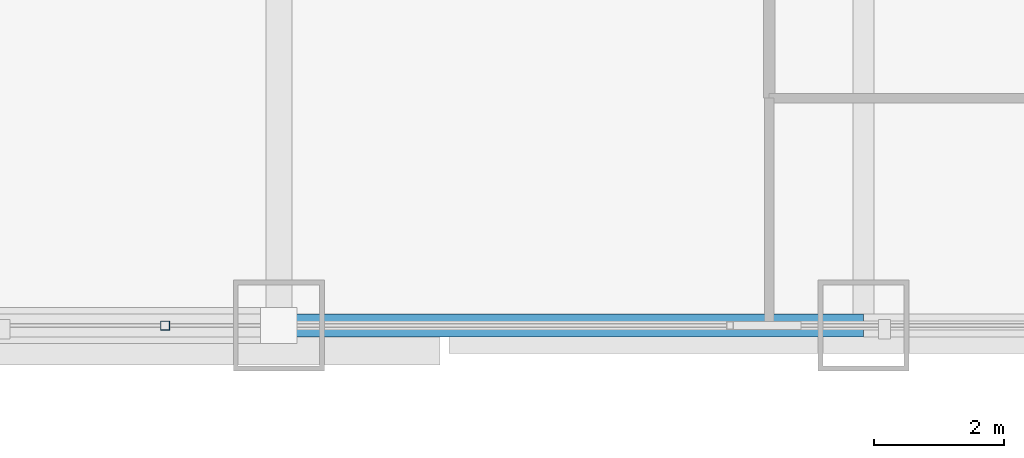
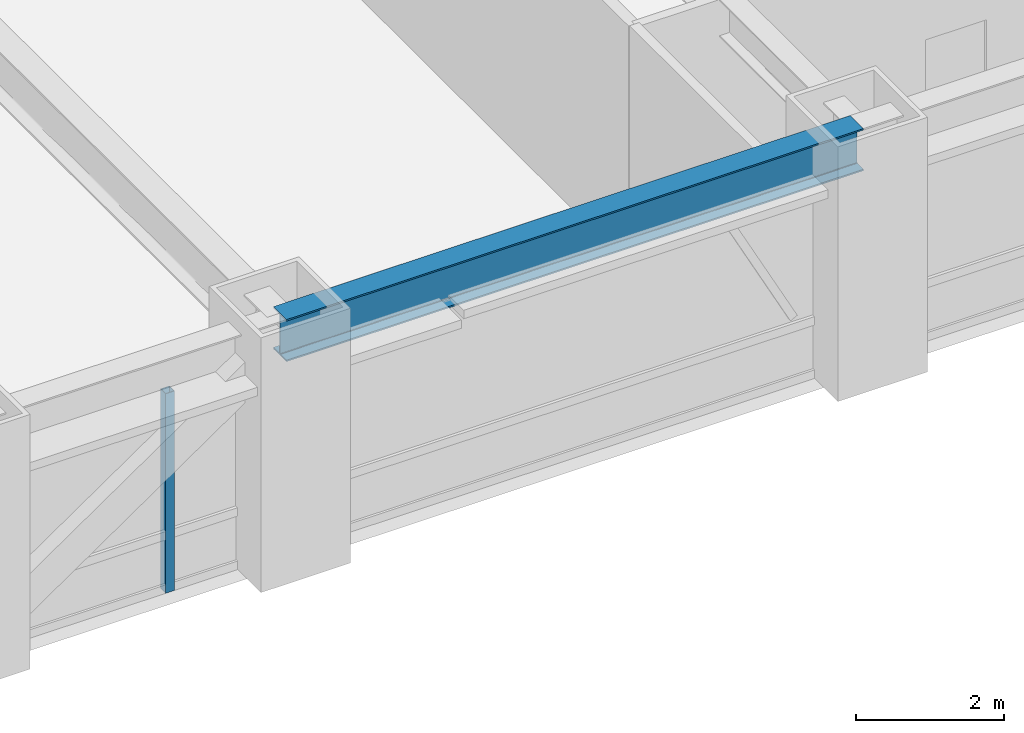
# One storey, part 8 of 31: 1 beam, 1 member, 1 element without a shape of its own.
"""IFC4 building model written with IfcOpenShell, lengths in metres."""

import ifcopenshell
import ifcopenshell.guid

model = None  # the IFC model being written
_history = None  # IfcOwnerHistory: only IFC2X3 demands one
_inside = {}  # id of a spatial element -> (the spatial element, [elements in it])
_under = {}  # id of a project, library or spatial element -> (it, [spatial elements below it])
_declared = {}  # id of a project -> (the project, [libraries it declares])
_typed = {}  # id of a type object -> (the type object, [elements of that type])
_made_of = {}  # id of a material, layer set ... -> (it, [elements and type objects made of it])


def new_model(schema):
    """Start an empty IFC model of exactly this schema.

    Asked for "IFC4X3", IfcOpenShell would pick the latest addendum, in which some entities
    have other attributes; the version numbers below select the first issue.
    IFC2X3 requires an IfcOwnerHistory on every rooted entity: one is made here for all.
    """
    global model, _history
    if schema == "IFC4X3":
        model = ifcopenshell.file(schema_version=(4, 3, 0, 0))
    else:
        model = ifcopenshell.file(schema=schema)
    _inside.clear()
    _under.clear()
    _declared.clear()
    _typed.clear()
    _made_of.clear()
    _history = None
    if model.schema == "IFC2X3":
        org = make("IfcOrganization", Name="unknown")
        user = make(
            "IfcPersonAndOrganization",
            ThePerson=make("IfcPerson", FamilyName="unknown"),
            TheOrganization=org,
        )
        app = make(
            "IfcApplication",
            ApplicationDeveloper=org,
            Version="unknown",
            ApplicationFullName="unknown",
            ApplicationIdentifier="unknown",
        )
        _history = make(
            "IfcOwnerHistory",
            OwningUser=user,
            OwningApplication=app,
            ChangeAction="ADDED",
            CreationDate=0,
        )
    return model


def make(cls, **values):
    """One entity of the class cls with the attributes given. An attribute that is None is left unset."""
    return model.create_entity(
        cls, **{name: value for name, value in values.items() if value is not None}
    )


def rooted(cls, **values):
    """An entity with a GlobalId (a new one), such as an element, a storey or a relation."""
    return make(cls, GlobalId=ifcopenshell.guid.new(), OwnerHistory=_history, **values)


def si_unit(unit_type, name, prefix=None):
    """IfcSIUnit, for example si_unit("LENGTHUNIT", "METRE", prefix="MILLI")."""
    return make("IfcSIUnit", UnitType=unit_type, Prefix=prefix, Name=name)


def assignment(units):
    """IfcUnitAssignment: the units of a project."""
    return None if units is None else make("IfcUnitAssignment", Units=units)


def point(xyz):
    """IfcCartesianPoint."""
    return None if xyz is None else make("IfcCartesianPoint", Coordinates=xyz)


def direction(xyz):
    """IfcDirection."""
    return None if xyz is None else make("IfcDirection", DirectionRatios=xyz)


def frame(location, z_axis=None, x_axis=None):
    """IfcAxis2Placement3D, a coordinate frame: its origin and axes. An axis left out is left unset."""
    return make(
        "IfcAxis2Placement3D",
        Location=point(location),
        Axis=direction(z_axis),
        RefDirection=direction(x_axis),
    )


def frame_2d(location, x_axis=None):
    """IfcAxis2Placement2D, a coordinate frame in the plane: its origin and x axis."""
    return make(
        "IfcAxis2Placement2D", Location=point(location), RefDirection=direction(x_axis)
    )


def origin():
    """The frame at (0, 0, 0) with its axes left unset."""
    return frame((0.0, 0.0, 0.0))


def origin_2d():
    """The frame at (0, 0) in the plane with its x axis left unset."""
    return frame_2d((0.0, 0.0))


def place(relative_to, where):
    """IfcLocalPlacement: puts the frame where relative to a parent placement (None: the world)."""
    return make(
        "IfcLocalPlacement", PlacementRelTo=relative_to, RelativePlacement=where
    )


def context(
    kind, dimensions, precision=None, world=None, true_north=None, identifier=None
):
    """IfcGeometricRepresentationContext, for example the 3D "Model" context."""
    return make(
        "IfcGeometricRepresentationContext",
        ContextIdentifier=identifier,
        ContextType=kind,
        CoordinateSpaceDimension=dimensions,
        Precision=precision,
        WorldCoordinateSystem=world,
        TrueNorth=true_north,
    )


def subcontext(parent, identifier, kind, view, scale=None):
    """IfcGeometricRepresentationSubContext, for example "Body" below "Model"."""
    return make(
        "IfcGeometricRepresentationSubContext",
        ContextIdentifier=identifier,
        ContextType=kind,
        ParentContext=parent,
        TargetScale=scale,
        TargetView=view,
    )


def project(units=None, contexts=None):
    """IfcProject with its units and contexts."""
    return rooted(
        "IfcProject",
        Name="project",
        RepresentationContexts=contexts,
        UnitsInContext=assignment(units),
    )


def spatial(cls, under=None, at=None, **own):
    """A site, building, storey or space (cls), placed at a placement, below another one or the project."""
    s = rooted(cls, ObjectPlacement=at, **own)
    if under is not None:
        _under.setdefault(under.id(), (under, []))[1].append(s)
    return s


def profile(cls, at=None, kind="AREA", **sizes):
    """A parametric profile (cls). Its sizes go by their IFC names, for example OverallWidth=200.0."""
    return make(cls, ProfileType=kind, Position=at, **sizes)


def hollow_rectangle(**sizes):
    """IfcRectangleHollowProfileDef."""
    return profile("IfcRectangleHollowProfileDef", **sizes)


def i_section(**sizes):
    """IfcIShapeProfileDef."""
    return profile("IfcIShapeProfileDef", **sizes)


def extrude(swept, where, along, depth):
    """IfcExtrudedAreaSolid: the profile swept, set in the frame where, extruded along a direction by depth."""
    return make(
        "IfcExtrudedAreaSolid",
        SweptArea=swept,
        Position=where,
        ExtrudedDirection=direction(along),
        Depth=depth,
    )


def shape(context_of_items, identifier, shape_type, items):
    """IfcShapeRepresentation: the items that make up one representation, for example the "Body"."""
    return make(
        "IfcShapeRepresentation",
        ContextOfItems=context_of_items,
        RepresentationIdentifier=identifier,
        RepresentationType=shape_type,
        Items=items,
    )


def source(mapping_origin, context_of_items, identifier, shape_type, items):
    """IfcRepresentationMap: a shape defined once, which mapped items show again and again."""
    return make(
        "IfcRepresentationMap",
        MappingOrigin=mapping_origin,
        MappedRepresentation=shape(context_of_items, identifier, shape_type, items),
    )


def transform(
    local_origin,
    x_axis=None,
    y_axis=None,
    z_axis=None,
    scale=None,
    scale2=None,
    scale3=None,
    uniform=True,
):
    """IfcCartesianTransformationOperator3D, or its non-uniform kind. x_axis, y_axis, z_axis: its Axis1, 2, 3."""
    if uniform:
        return make(
            "IfcCartesianTransformationOperator3D",
            Axis1=direction(x_axis),
            Axis2=direction(y_axis),
            LocalOrigin=point(local_origin),
            Scale=scale,
            Axis3=direction(z_axis),
        )
    return make(
        "IfcCartesianTransformationOperator3DnonUniform",
        Axis1=direction(x_axis),
        Axis2=direction(y_axis),
        LocalOrigin=point(local_origin),
        Scale=scale,
        Axis3=direction(z_axis),
        Scale2=scale2,
        Scale3=scale3,
    )


def mapped(mapping_source, mapping_target):
    """IfcMappedItem: shows the shape of a source again, moved by a transform."""
    return make(
        "IfcMappedItem", MappingSource=mapping_source, MappingTarget=mapping_target
    )


def material(Name=None, Category=None):
    """IfcMaterial."""
    return make("IfcMaterial", Name=Name, Category=Category)


def material_profile(
    of_material, cross_section, Name=None, Category=None, Priority=None
):
    """IfcMaterialProfile: a cross section and its material."""
    return make(
        "IfcMaterialProfile",
        Name=Name,
        Material=of_material,
        Profile=cross_section,
        Priority=Priority,
        Category=Category,
    )


def profile_set(profiles, Name=None, composite=None):
    """IfcMaterialProfileSet."""
    return make(
        "IfcMaterialProfileSet",
        Name=Name,
        MaterialProfiles=profiles,
        CompositeProfile=composite,
    )


def made_of(thing, what):
    """Note that an element or type object is made of a material, layer set ...; save() writes the relation."""
    if what is not None:
        _made_of.setdefault(what.id(), (what, []))[1].append(thing)
    return thing


def type_object(cls, material=None, **own):
    """A type object (cls), such as IfcWallType, which elements share."""
    return made_of(rooted(cls, **own), material)


def element(
    cls,
    number,
    at=None,
    inside=None,
    cuts=None,
    type_object=None,
    material=None,
    context=None,
    identifier="Body",
    shape_type=None,
    held_by="IfcProductDefinitionShape",
    body=None,
    shapes=None,
    **own,
):
    """One element of the class cls, such as IfcWall. Its Tag is "e" and its number.

    at: its placement. inside: the storey or other place that contains it. cuts: it is an
    opening in that element (IfcRelVoidsElement). A single representation is given by context,
    identifier, shape_type and body (its items); several are given by shapes. held_by: the class
    of the entity that holds the representations. save() writes the other relations.
    """
    e = rooted(cls, Tag="e%d" % number, ObjectPlacement=at, **own)
    if body is not None:
        shapes = [shape(context, identifier, shape_type, body)]
    if shapes is not None:
        e.Representation = make(held_by, Representations=shapes)
    if inside is not None:
        _inside.setdefault(inside.id(), (inside, []))[1].append(e)
    if cuts is not None:
        rooted(
            "IfcRelVoidsElement", RelatingBuildingElement=cuts, RelatedOpeningElement=e
        )
    if type_object is not None:
        _typed.setdefault(type_object.id(), (type_object, []))[1].append(e)
    return made_of(e, material)


def aggregate(whole, parts):
    """IfcRelAggregates: a whole, such as a stair, and the parts it consists of."""
    return rooted("IfcRelAggregates", RelatingObject=whole, RelatedObjects=parts)


def save(model, path):
    """Write the relations noted so far, then the file.

    IfcRelAggregates (storeys below a building ...), IfcRelContainedInSpatialStructure (elements
    in a storey), IfcRelDefinesByType, IfcRelAssociatesMaterial and IfcRelDeclares: one each for
    every whole, place, type object, material and project.
    """
    for whole, parts in _under.values():
        aggregate(whole, parts)
    for where, things in _inside.values():
        rooted(
            "IfcRelContainedInSpatialStructure",
            RelatedElements=things,
            RelatingStructure=where,
        )
    for kind, things in _typed.values():
        rooted("IfcRelDefinesByType", RelatedObjects=things, RelatingType=kind)
    for what, things in _made_of.values():
        rooted("IfcRelAssociatesMaterial", RelatedObjects=things, RelatingMaterial=what)
    for by, libraries in _declared.values():
        rooted("IfcRelDeclares", RelatingContext=by, RelatedDefinitions=libraries)
    model.write(path)


model = new_model("IFC4")

# Units and contexts
model_context = context("Model", 3, precision=1e-05, world=origin(), true_north=direction((0.0, 1.0)))
body_context = subcontext(model_context, "Body", "Model", "MODEL_VIEW")
ifc_project = project(units=[si_unit("LENGTHUNIT", "METRE"), si_unit("AREAUNIT", "SQUARE_METRE"), si_unit("VOLUMEUNIT", "CUBIC_METRE"), si_unit("PLANEANGLEUNIT", "RADIAN"), si_unit("MASSUNIT", "GRAM", prefix="KILO")], contexts=[model_context])

# Site, building, storey
site_placement = place(None, origin())
site = spatial("IfcSite", under=ifc_project, at=site_placement, CompositionType="ELEMENT")
building_placement = place(site_placement, origin())
building = spatial("IfcBuilding", under=site, at=building_placement, Name="Khorayat Bourse Tower", CompositionType="ELEMENT")
storey_placement = place(building_placement, frame((0.0, 0.0, 32.60009765625)))
storey = spatial("IfcBuildingStorey", under=building, at=storey_placement, Name="L06", CompositionType="ELEMENT", Elevation=32.60009765625)

# Beam
ifc_material_1 = material(Name="Steel ASTM A992 Grade 50", Category="steel")
ifc_material_profile_1 = material_profile(ifc_material_1, i_section(OverallWidth=0.35498046875, OverallDepth=0.695068359375, WebThickness=0.015380859375, FlangeThickness=0.02490234375, FilletRadius=0.01806640625, at=origin_2d()), Name="W690X217")
ifc_profile_set_1 = profile_set([ifc_material_profile_1], Name="Steel ASTM A992 Grade 50")
beam_type = type_object("IfcBeamType", Name="BM-SPAN-690", PredefinedType="SPANDREL", material=ifc_profile_set_1)
shared_shape_1 = source(origin(), body_context, "Body", "SweptSolid", [
    extrude(i_section(OverallWidth=0.35498046875, OverallDepth=0.695068359375, WebThickness=0.015380859375, FlangeThickness=0.02490234375, FilletRadius=0.01806640625, at=origin_2d()), origin(), (0.0, 0.0, 1.0), 9.0),
])
beam_placement = place(storey_placement, frame((11.0, -32.0, 3.59228515625), z_axis=(1.0, 0.0, 0.0), x_axis=(0.0, 1.0, 0.0)))
element("IfcBeam", 1, at=beam_placement, inside=storey, type_object=beam_type, Name="L06 BM-SPAN-690 BM-L06-SPN-030", PredefinedType="SPANDREL", context=body_context, shape_type="MappedRepresentation", body=[
    mapped(shared_shape_1, transform((0.0, 0.0, 0.0), scale=1.0)),
])

# Curtain wall, member
ifc_material_2 = material(Name="Aluminium EN AW-6063 T6", Category="aluminium")
curtain_wall_type = type_object("IfcCurtainWallType", Name="CW-SYS-02", PredefinedType="NOTDEFINED", material=ifc_material_2)
curtain_wall_placement = place(storey_placement, origin())
curtain_wall = element("IfcCurtainWall", 2, at=curtain_wall_placement, inside=storey, type_object=curtain_wall_type, Name="L06 Curtain Wall CW-L06-S1", PredefinedType="NOTDEFINED")
ifc_material_profile_2 = material_profile(ifc_material_2, hollow_rectangle(XDim=0.139892578125, YDim=0.139892578125, WallThickness=0.006103515625, at=origin_2d()), Name="ALU 140x140x6")
ifc_profile_set_2 = profile_set([ifc_material_profile_2], Name="Aluminium EN AW-6063 T6")
member_type = type_object("IfcMemberType", Name="CWM-VERT-140", PredefinedType="MULLION", material=ifc_profile_set_2)
shared_shape_2 = source(origin(), body_context, "Body", "SweptSolid", [
    extrude(hollow_rectangle(XDim=0.139892578125, YDim=0.139892578125, WallThickness=0.006103515625, at=origin_2d()), origin(), (0.0, 0.0, 1.0), 3.289794921875),
])
member_placement = place(storey_placement, frame((9.25, -32.0, 0.0), z_axis=(0.0, 0.0, 1.0), x_axis=(0.0, 1.0, 0.0)))
member = element("IfcMember", 3, at=member_placement, type_object=member_type, Name="CW-L06-S1 Vertical Mullion 3", PredefinedType="MULLION", context=body_context, shape_type="MappedRepresentation", body=[
    mapped(shared_shape_2, transform((0.0, 0.0, 0.0), scale=1.0)),
])
aggregate(curtain_wall, [member])

save(model, "model.ifc")
